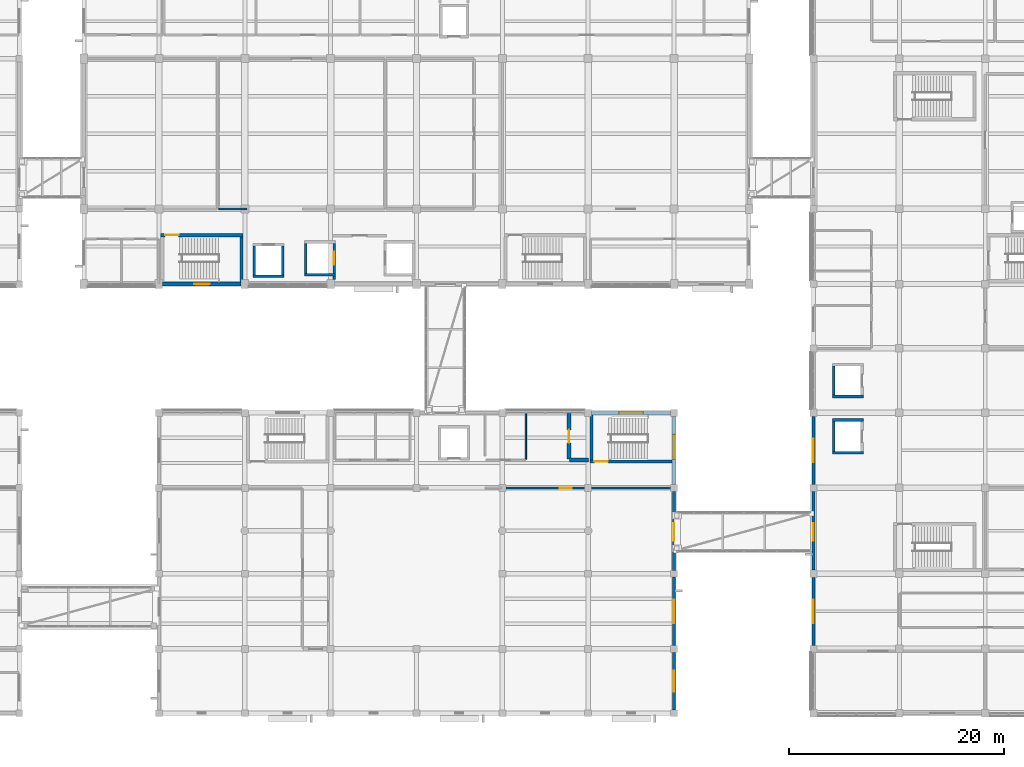
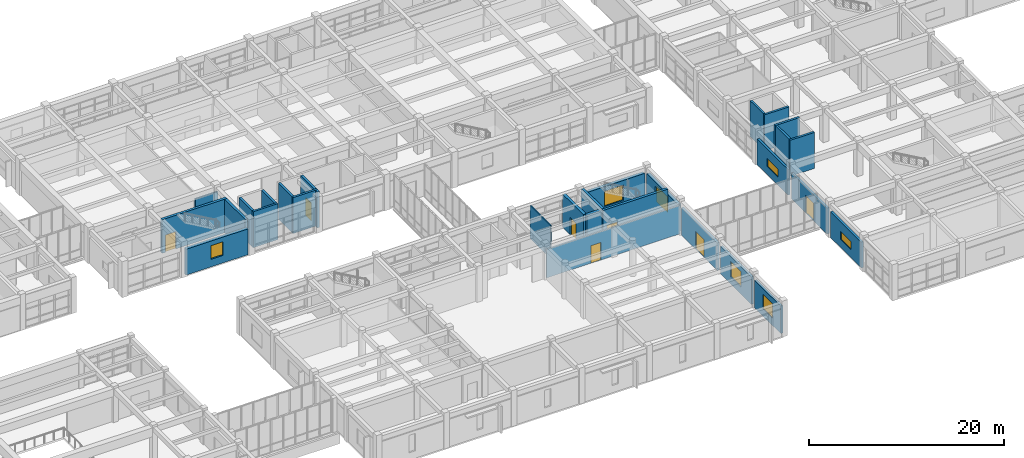
# One storey, part 51 of 72: 29 walls, 7 doors, 7 windows, 14 openings.
"""IFC4 building model written with IfcOpenShell, lengths in metres."""

import ifcopenshell
import ifcopenshell.guid

model = None  # the IFC model being written
_history = None  # IfcOwnerHistory: only IFC2X3 demands one
_inside = {}  # id of a spatial element -> (the spatial element, [elements in it])
_under = {}  # id of a project, library or spatial element -> (it, [spatial elements below it])
_declared = {}  # id of a project -> (the project, [libraries it declares])
_typed = {}  # id of a type object -> (the type object, [elements of that type])
_made_of = {}  # id of a material, layer set ... -> (it, [elements and type objects made of it])


def new_model(schema):
    """Start an empty IFC model of exactly this schema.

    Asked for "IFC4X3", IfcOpenShell would pick the latest addendum, in which some entities
    have other attributes; the version numbers below select the first issue.
    IFC2X3 requires an IfcOwnerHistory on every rooted entity: one is made here for all.
    """
    global model, _history
    if schema == "IFC4X3":
        model = ifcopenshell.file(schema_version=(4, 3, 0, 0))
    else:
        model = ifcopenshell.file(schema=schema)
    _inside.clear()
    _under.clear()
    _declared.clear()
    _typed.clear()
    _made_of.clear()
    _history = None
    if model.schema == "IFC2X3":
        org = make("IfcOrganization", Name="unknown")
        user = make(
            "IfcPersonAndOrganization",
            ThePerson=make("IfcPerson", FamilyName="unknown"),
            TheOrganization=org,
        )
        app = make(
            "IfcApplication",
            ApplicationDeveloper=org,
            Version="unknown",
            ApplicationFullName="unknown",
            ApplicationIdentifier="unknown",
        )
        _history = make(
            "IfcOwnerHistory",
            OwningUser=user,
            OwningApplication=app,
            ChangeAction="ADDED",
            CreationDate=0,
        )
    return model


def make(cls, **values):
    """One entity of the class cls with the attributes given. An attribute that is None is left unset."""
    return model.create_entity(
        cls, **{name: value for name, value in values.items() if value is not None}
    )


def rooted(cls, **values):
    """An entity with a GlobalId (a new one), such as an element, a storey or a relation."""
    return make(cls, GlobalId=ifcopenshell.guid.new(), OwnerHistory=_history, **values)


def si_unit(unit_type, name, prefix=None):
    """IfcSIUnit, for example si_unit("LENGTHUNIT", "METRE", prefix="MILLI")."""
    return make("IfcSIUnit", UnitType=unit_type, Prefix=prefix, Name=name)


def assignment(units):
    """IfcUnitAssignment: the units of a project."""
    return None if units is None else make("IfcUnitAssignment", Units=units)


def point(xyz):
    """IfcCartesianPoint."""
    return None if xyz is None else make("IfcCartesianPoint", Coordinates=xyz)


def direction(xyz):
    """IfcDirection."""
    return None if xyz is None else make("IfcDirection", DirectionRatios=xyz)


def frame(location, z_axis=None, x_axis=None):
    """IfcAxis2Placement3D, a coordinate frame: its origin and axes. An axis left out is left unset."""
    return make(
        "IfcAxis2Placement3D",
        Location=point(location),
        Axis=direction(z_axis),
        RefDirection=direction(x_axis),
    )


def frame_2d(location, x_axis=None):
    """IfcAxis2Placement2D, a coordinate frame in the plane: its origin and x axis."""
    return make(
        "IfcAxis2Placement2D", Location=point(location), RefDirection=direction(x_axis)
    )


def origin():
    """The frame at (0, 0, 0) with its axes left unset."""
    return frame((0.0, 0.0, 0.0))


def place(relative_to, where):
    """IfcLocalPlacement: puts the frame where relative to a parent placement (None: the world)."""
    return make(
        "IfcLocalPlacement", PlacementRelTo=relative_to, RelativePlacement=where
    )


def context(
    kind, dimensions, precision=None, world=None, true_north=None, identifier=None
):
    """IfcGeometricRepresentationContext, for example the 3D "Model" context."""
    return make(
        "IfcGeometricRepresentationContext",
        ContextIdentifier=identifier,
        ContextType=kind,
        CoordinateSpaceDimension=dimensions,
        Precision=precision,
        WorldCoordinateSystem=world,
        TrueNorth=true_north,
    )


def subcontext(parent, identifier, kind, view, scale=None):
    """IfcGeometricRepresentationSubContext, for example "Body" below "Model"."""
    return make(
        "IfcGeometricRepresentationSubContext",
        ContextIdentifier=identifier,
        ContextType=kind,
        ParentContext=parent,
        TargetScale=scale,
        TargetView=view,
    )


def project(units=None, contexts=None):
    """IfcProject with its units and contexts."""
    return rooted(
        "IfcProject",
        Name="project",
        RepresentationContexts=contexts,
        UnitsInContext=assignment(units),
    )


def spatial(cls, under=None, at=None, **own):
    """A site, building, storey or space (cls), placed at a placement, below another one or the project."""
    s = rooted(cls, ObjectPlacement=at, **own)
    if under is not None:
        _under.setdefault(under.id(), (under, []))[1].append(s)
    return s


def profile(cls, at=None, kind="AREA", **sizes):
    """A parametric profile (cls). Its sizes go by their IFC names, for example OverallWidth=200.0."""
    return make(cls, ProfileType=kind, Position=at, **sizes)


def rectangle(**sizes):
    """IfcRectangleProfileDef."""
    return profile("IfcRectangleProfileDef", **sizes)


def extrude(swept, where, along, depth):
    """IfcExtrudedAreaSolid: the profile swept, set in the frame where, extruded along a direction by depth."""
    return make(
        "IfcExtrudedAreaSolid",
        SweptArea=swept,
        Position=where,
        ExtrudedDirection=direction(along),
        Depth=depth,
    )


def shape(context_of_items, identifier, shape_type, items):
    """IfcShapeRepresentation: the items that make up one representation, for example the "Body"."""
    return make(
        "IfcShapeRepresentation",
        ContextOfItems=context_of_items,
        RepresentationIdentifier=identifier,
        RepresentationType=shape_type,
        Items=items,
    )


def material(Name=None, Category=None):
    """IfcMaterial."""
    return make("IfcMaterial", Name=Name, Category=Category)


def layer(
    of_material, thickness, ventilated=None, Name=None, Category=None, Priority=None
):
    """IfcMaterialLayer: one layer of a wall or slab, of a material (None: an air gap)."""
    return make(
        "IfcMaterialLayer",
        Material=of_material,
        LayerThickness=thickness,
        IsVentilated=ventilated,
        Name=Name,
        Category=Category,
        Priority=Priority,
    )


def layer_set(layers, Name=None):
    """IfcMaterialLayerSet."""
    return make("IfcMaterialLayerSet", MaterialLayers=layers, LayerSetName=Name)


def made_of(thing, what):
    """Note that an element or type object is made of a material, layer set ...; save() writes the relation."""
    if what is not None:
        _made_of.setdefault(what.id(), (what, []))[1].append(thing)
    return thing


def type_object(cls, material=None, **own):
    """A type object (cls), such as IfcWallType, which elements share."""
    return made_of(rooted(cls, **own), material)


def element(
    cls,
    number,
    at=None,
    inside=None,
    cuts=None,
    type_object=None,
    material=None,
    context=None,
    identifier="Body",
    shape_type=None,
    held_by="IfcProductDefinitionShape",
    body=None,
    shapes=None,
    **own,
):
    """One element of the class cls, such as IfcWall. Its Tag is "e" and its number.

    at: its placement. inside: the storey or other place that contains it. cuts: it is an
    opening in that element (IfcRelVoidsElement). A single representation is given by context,
    identifier, shape_type and body (its items); several are given by shapes. held_by: the class
    of the entity that holds the representations. save() writes the other relations.
    """
    e = rooted(cls, Tag="e%d" % number, ObjectPlacement=at, **own)
    if body is not None:
        shapes = [shape(context, identifier, shape_type, body)]
    if shapes is not None:
        e.Representation = make(held_by, Representations=shapes)
    if inside is not None:
        _inside.setdefault(inside.id(), (inside, []))[1].append(e)
    if cuts is not None:
        rooted(
            "IfcRelVoidsElement", RelatingBuildingElement=cuts, RelatedOpeningElement=e
        )
    if type_object is not None:
        _typed.setdefault(type_object.id(), (type_object, []))[1].append(e)
    return made_of(e, material)


def fill(opening, filler):
    """IfcRelFillsElement: the door or window that sits in an opening."""
    return rooted(
        "IfcRelFillsElement",
        RelatingOpeningElement=opening,
        RelatedBuildingElement=filler,
    )


def aggregate(whole, parts):
    """IfcRelAggregates: a whole, such as a stair, and the parts it consists of."""
    return rooted("IfcRelAggregates", RelatingObject=whole, RelatedObjects=parts)


def save(model, path):
    """Write the relations noted so far, then the file.

    IfcRelAggregates (storeys below a building ...), IfcRelContainedInSpatialStructure (elements
    in a storey), IfcRelDefinesByType, IfcRelAssociatesMaterial and IfcRelDeclares: one each for
    every whole, place, type object, material and project.
    """
    for whole, parts in _under.values():
        aggregate(whole, parts)
    for where, things in _inside.values():
        rooted(
            "IfcRelContainedInSpatialStructure",
            RelatedElements=things,
            RelatingStructure=where,
        )
    for kind, things in _typed.values():
        rooted("IfcRelDefinesByType", RelatedObjects=things, RelatingType=kind)
    for what, things in _made_of.values():
        rooted("IfcRelAssociatesMaterial", RelatedObjects=things, RelatingMaterial=what)
    for by, libraries in _declared.values():
        rooted("IfcRelDeclares", RelatingContext=by, RelatedDefinitions=libraries)
    model.write(path)


model = new_model("IFC4")

# Units and contexts
model_context = context("Model", 3, precision=1e-05, world=origin(), true_north=direction((0.0, 1.0)))
body_context = subcontext(model_context, "Body", "Model", "MODEL_VIEW")
ifc_project = project(units=[si_unit("LENGTHUNIT", "METRE"), si_unit("AREAUNIT", "SQUARE_METRE"), si_unit("VOLUMEUNIT", "CUBIC_METRE"), si_unit("PLANEANGLEUNIT", "RADIAN"), si_unit("MASSUNIT", "GRAM", prefix="KILO")], contexts=[model_context])

# Site, building, storey
site_placement = place(None, origin())
site = spatial("IfcSite", under=ifc_project, at=site_placement, CompositionType="ELEMENT")
building_placement = place(site_placement, origin())
building = spatial("IfcBuilding", under=site, at=building_placement, Name="Naurynzar Civic Courthouse", CompositionType="ELEMENT")
storey_placement = place(building_placement, frame((0.0, 0.0, 9.89990234375)))
storey = spatial("IfcBuildingStorey", under=building, at=storey_placement, Name="L03", CompositionType="ELEMENT", Elevation=9.89990234375)

# Wall
ifc_material_1 = material(Name="Acoustic Double-Stud Gypsum Partition")
ifc_layer_1 = layer(ifc_material_1, 0.1650390625)
ifc_layer_set_1 = layer_set([ifc_layer_1], Name="WL-ACOUSTIC-165")
wall_type_1 = type_object("IfcWallType", Name="WL-ACOUSTIC-165", PredefinedType="PARTITIONING", material=ifc_layer_set_1)
wall_1_placement = place(storey_placement, frame((74.56005859375, 51.0, 0.0), z_axis=(0.0, 0.0, 1.0), x_axis=(1.0, 0.0, 0.0)))
element("IfcWall", 1, at=wall_1_placement, inside=storey, type_object=wall_type_1, Name="V2 interior partition L03.354", PredefinedType="PARTITIONING", context=body_context, shape_type="SweptSolid", body=[
    extrude(rectangle(XDim=2.639892578125, YDim=0.1650390625, at=frame_2d((1.31982421875, 0.0))), origin(), (0.0, 0.0, 1.0), 3.400146484375),
])

# Wall, opening, door
ifc_material_2 = material(Name="Concrete C40/50", Category="concrete")
ifc_layer_2 = layer(ifc_material_2, 0.300048828125)
ifc_layer_set_2 = layer_set([ifc_layer_2], Name="WL-CORE-300")
wall_type_2 = type_object("IfcWallType", Name="WL-CORE-300", PredefinedType="SHEAR", material=ifc_layer_set_2)
wall_2_placement = place(storey_placement, frame((76.85009765625, 48.550048828125, 0.0), z_axis=(0.0, 0.0, 1.0), x_axis=(-1.0, 0.0, 0.0)))
wall_2 = element("IfcWall", 2, at=wall_2_placement, inside=storey, type_object=wall_type_2, Name="Stair ST-V2A enclosure wall north L03", PredefinedType="SHEAR", context=body_context, shape_type="SweptSolid", body=[
    extrude(rectangle(XDim=7.7001953125, YDim=0.300048828125, at=frame_2d((3.85009765625, 0.0))), origin(), (0.0, 0.0, 1.0), 4.2001953125),
])
opening_1_placement = place(wall_2_placement, frame((6.02490234375, 0.0, 0.0)))
opening_1 = element("IfcOpeningElement", 3, at=opening_1_placement, cuts=wall_2, Name="Opening SD-026", PredefinedType="OPENING", context=body_context, shape_type="SweptSolid", body=[
    extrude(rectangle(XDim=1.25, YDim=2.14990234375, at=frame_2d((0.625, 1.074951171875))), frame((0.0, 0.159912109375, 0.0), z_axis=(0.0, -1.0, 0.0), x_axis=(1.0, 0.0, 0.0)), (0.0, 0.0, 1.0), 0.320068359375),
])
ifc_material_3 = material(Name="Powder-Coated Galvanised Steel", Category="steel")
door_type_1 = type_object("IfcDoorType", Name="DR-STAIR-1250x2150", OperationType="NOTDEFINED", PredefinedType="DOOR", material=ifc_material_3)
door_1_placement = place(opening_1_placement, origin())
door_1 = element("IfcDoor", 4, at=door_1_placement, inside=storey, type_object=door_type_1, Name="Stair ST-V2A fire door L03", OperationType="SINGLE_SWING_RIGHT", OverallHeight=2.14990234375, OverallWidth=1.25, PredefinedType="DOOR", context=body_context, shape_type="SweptSolid", body=[
    extrude(rectangle(XDim=1.25, YDim=2.14990234375, at=frame_2d((0.625, 1.074951171875))), frame((0.0, 0.02490234375, 0.0), z_axis=(0.0, -1.0, 0.0), x_axis=(1.0, 0.0, 0.0)), (0.0, 0.0, 1.0), 0.050048828125),
])
fill(opening_1, door_1)

# Wall
wall_3_placement = place(storey_placement, frame((76.699951171875, 44.195068359375, 0.0), z_axis=(0.0, 0.0, 1.0), x_axis=(0.0, 1.0, 0.0)))
element("IfcWall", 5, at=wall_3_placement, inside=storey, type_object=wall_type_2, Name="Stair ST-V2A enclosure wall east L03", PredefinedType="SHEAR", context=body_context, shape_type="SweptSolid", body=[
    extrude(rectangle(XDim=4.199951171875, YDim=0.300048828125, at=frame_2d((2.10009765625, 0.0))), origin(), (0.0, 0.0, 1.0), 4.2001953125),
])

# Wall, opening, door
wall_4_placement = place(storey_placement, frame((109.14990234375, 27.449951171875, 0.0), z_axis=(0.0, 0.0, 1.0), x_axis=(1.0, 0.0, 0.0)))
wall_4 = element("IfcWall", 6, at=wall_4_placement, inside=storey, type_object=wall_type_2, Name="Stair ST-V3B enclosure wall south L03", PredefinedType="SHEAR", context=body_context, shape_type="SweptSolid", body=[
    extrude(rectangle(XDim=7.655029296875, YDim=0.300048828125, at=frame_2d((3.82763671875, 0.0))), origin(), (0.0, 0.0, 1.0), 4.16015625),
])
opening_2_placement = place(wall_4_placement, frame((0.425048828125, 0.0, 0.0)))
opening_2 = element("IfcOpeningElement", 7, at=opening_2_placement, cuts=wall_4, Name="Opening SD-055", PredefinedType="OPENING", context=body_context, shape_type="SweptSolid", body=[
    extrude(rectangle(XDim=1.25, YDim=2.14990234375, at=frame_2d((0.625, 1.074951171875))), frame((0.0, 0.159912109375, 0.0), z_axis=(0.0, -1.0, 0.0), x_axis=(1.0, 0.0, 0.0)), (0.0, 0.0, 1.0), 0.320068359375),
])
door_2_placement = place(opening_2_placement, origin())
door_2 = element("IfcDoor", 8, at=door_2_placement, inside=storey, type_object=door_type_1, Name="Stair ST-V3B fire door L03", OperationType="SINGLE_SWING_LEFT", OverallHeight=2.14990234375, OverallWidth=1.25, PredefinedType="DOOR", context=body_context, shape_type="SweptSolid", body=[
    extrude(rectangle(XDim=1.25, YDim=2.14990234375, at=frame_2d((0.625, 1.074951171875))), frame((0.0, 0.02490234375, 0.0), z_axis=(0.0, -1.0, 0.0), x_axis=(1.0, 0.0, 0.0)), (0.0, 0.0, 1.0), 0.050048828125),
])
fill(opening_2, door_2)

# Walls
wall_5_placement = place(storey_placement, frame((109.300048828125, 31.804931640625, 0.0), z_axis=(0.0, 0.0, 1.0), x_axis=(0.0, -1.0, 0.0)))
element("IfcWall", 9, at=wall_5_placement, inside=storey, type_object=wall_type_2, Name="Stair ST-V3B enclosure wall west L03", PredefinedType="SHEAR", context=body_context, shape_type="SweptSolid", body=[
    extrude(rectangle(XDim=4.199951171875, YDim=0.300048828125, at=frame_2d((2.10009765625, 0.0))), origin(), (0.0, 0.0, 1.0), 4.16015625),
])
ifc_material_4 = material(Name="Concrete C40/50", Category="concrete")
ifc_layer_3 = layer(ifc_material_4, 0.35009765625)
ifc_layer_set_3 = layer_set([ifc_layer_3], Name="WL-CORE-350")
wall_type_3 = type_object("IfcWallType", Name="WL-CORE-350", PredefinedType="SHEAR", material=ifc_layer_set_3)
wall_6_placement = place(storey_placement, frame((107.280029296875, 27.60009765625, 0.0), z_axis=(0.0, 0.0, 1.0), x_axis=(1.0, 0.0, 0.0)))
element("IfcWall", 10, at=wall_6_placement, inside=storey, type_object=wall_type_3, Name="V3 interior partition L03.337", PredefinedType="SHEAR", context=body_context, shape_type="SweptSolid", body=[
    extrude(rectangle(XDim=1.77001953125, YDim=0.35009765625, at=frame_2d((0.885009765625, 0.0))), origin(), (0.0, 0.0, 1.0), 4.14013671875),
])

# Wall, opening, door
wall_7_placement = place(storey_placement, frame((107.199951171875, 27.679931640625, 0.0), z_axis=(0.0, 0.0, 1.0), x_axis=(0.0, 1.0, 0.0)))
wall_7 = element("IfcWall", 11, at=wall_7_placement, inside=storey, type_object=wall_type_3, Name="V3 interior partition L03.418", PredefinedType="SHEAR", context=body_context, shape_type="SweptSolid", body=[
    extrude(rectangle(XDim=4.239990234375, YDim=0.35009765625, at=frame_2d((2.1201171875, 0.0))), origin(), (0.0, 0.0, 1.0), 4.14013671875),
])
opening_3_placement = place(wall_7_placement, frame((1.52001953125, 0.0, 0.0)))
opening_3 = element("IfcOpeningElement", 12, at=opening_3_placement, cuts=wall_7, Name="Opening D-241", PredefinedType="OPENING", context=body_context, shape_type="SweptSolid", body=[
    extrude(rectangle(XDim=1.199951171875, YDim=2.14990234375, at=frame_2d((0.60009765625, 1.074951171875))), frame((0.0, 0.18505859375, 0.0), z_axis=(0.0, -1.0, 0.0), x_axis=(1.0, 0.0, 0.0)), (0.0, 0.0, 1.0), 0.3701171875),
])
ifc_material_5 = material(Name="Powder-Coated Galvanised Steel", Category="steel")
door_type_2 = type_object("IfcDoorType", Name="DR-ARCH-1200x2150", OperationType="NOTDEFINED", PredefinedType="DOOR", material=ifc_material_5)
door_3_placement = place(opening_3_placement, origin())
door_3 = element("IfcDoor", 13, at=door_3_placement, inside=storey, type_object=door_type_2, Name="Interior door D-241 (Law Library Book Stacks North L03)", OperationType="SINGLE_SWING_LEFT", OverallHeight=2.14990234375, OverallWidth=1.199951171875, PredefinedType="DOOR", context=body_context, shape_type="SweptSolid", body=[
    extrude(rectangle(XDim=1.199951171875, YDim=2.14990234375, at=frame_2d((0.60009765625, 1.074951171875))), frame((0.0, 0.02490234375, 0.0), z_axis=(0.0, -1.0, 0.0), x_axis=(1.0, 0.0, 0.0)), (0.0, 0.0, 1.0), 0.050048828125),
])
fill(opening_3, door_3)

ifc_material_6 = material(Name="Precast concrete C40/50", Category="concrete")
ifc_layer_4 = layer(ifc_material_6, 0.260009765625)
ifc_layer_set_4 = layer_set([ifc_layer_4], Name="WL-EXT-260")
wall_type_4 = type_object("IfcWallType", Name="WL-EXT-260", PredefinedType="SOLIDWALL", material=ifc_layer_set_4)
wall_8_placement = place(storey_placement, frame((117.0, 24.675048828125, 0.0), z_axis=(0.0, 0.0, 1.0), x_axis=(0.0, -1.0, 0.0)))
wall_8 = element("IfcWall", 14, at=wall_8_placement, inside=storey, type_object=wall_type_4, Name="V3 exterior wall east L03.2.1", PredefinedType="SOLIDWALL", context=body_context, shape_type="SweptSolid", body=[
    extrude(rectangle(XDim=7.35009765625, YDim=0.260009765625, at=frame_2d((3.675048828125, 0.0))), origin(), (0.0, 0.0, 1.0), 3.440185546875),
])
opening_4_placement = place(wall_8_placement, frame((2.949951171875, 0.0, 0.0)))
opening_4 = element("IfcOpeningElement", 15, at=opening_4_placement, cuts=wall_8, Name="Opening BD-24", PredefinedType="OPENING", context=body_context, shape_type="SweptSolid", body=[
    extrude(rectangle(XDim=1.64990234375, YDim=2.199951171875, at=frame_2d((0.824951171875, 1.10009765625))), frame((0.0, 0.139892578125, 0.0), z_axis=(0.0, -1.0, 0.0), x_axis=(1.0, 0.0, 0.0)), (0.0, 0.0, 1.0), 0.280029296875),
])
ifc_material_7 = material(Name="Aluminium 6063-T6", Category="aluminium")
door_type_3 = type_object("IfcDoorType", Name="DR-BRG-1650x2200", OperationType="DOUBLE_DOOR_SINGLE_SWING", PredefinedType="DOOR", material=ifc_material_7)
door_4_placement = place(opening_4_placement, origin())
door_4 = element("IfcDoor", 16, at=door_4_placement, inside=storey, type_object=door_type_3, Name="Seismic bridge fire door BD-24", OperationType="DOUBLE_DOOR_SINGLE_SWING", OverallHeight=2.199951171875, OverallWidth=1.64990234375, PredefinedType="DOOR", context=body_context, shape_type="SweptSolid", body=[
    extrude(rectangle(XDim=1.64990234375, YDim=2.199951171875, at=frame_2d((0.824951171875, 1.10009765625))), frame((0.0, 0.02490234375, 0.0), z_axis=(0.0, -1.0, 0.0), x_axis=(1.0, 0.0, 0.0)), (0.0, 0.0, 1.0), 0.050048828125),
])
fill(opening_4, door_4)

# Wall, opening, window
wall_9_placement = place(storey_placement, frame((117.0, 16.675048828125, 0.0), z_axis=(0.0, 0.0, 1.0), x_axis=(0.0, -1.0, 0.0)))
wall_9 = element("IfcWall", 17, at=wall_9_placement, inside=storey, type_object=wall_type_4, Name="V3 exterior wall east L03.3.1", PredefinedType="SOLIDWALL", context=body_context, shape_type="SweptSolid", body=[
    extrude(rectangle(XDim=6.35009765625, YDim=0.260009765625, at=frame_2d((3.175048828125, 0.0))), origin(), (0.0, 0.0, 1.0), 3.440185546875),
])
opening_5_placement = place(wall_9_placement, frame((2.074951171875, 0.0, 0.89990234375)))
opening_5 = element("IfcOpeningElement", 18, at=opening_5_placement, cuts=wall_9, Name="Opening WN-11", PredefinedType="OPENING", context=body_context, shape_type="SweptSolid", body=[
    extrude(rectangle(XDim=2.199951171875, YDim=1.89990234375, at=frame_2d((1.10009765625, 0.949951171875))), frame((0.0, 0.139892578125, 0.0), z_axis=(0.0, -1.0, 0.0), x_axis=(1.0, 0.0, 0.0)), (0.0, 0.0, 1.0), 0.280029296875),
])
ifc_material_8 = material(Name="Tempered Laminated Low-E Glass", Category="glass")
window_type_1 = type_object("IfcWindowType", Name="WIN-LIB-READ-2200x1900", PartitioningType="DOUBLE_PANEL_VERTICAL", PredefinedType="WINDOW", material=ifc_material_8)
window_1_placement = place(opening_5_placement, origin())
window_1 = element("IfcWindow", 19, at=window_1_placement, inside=storey, type_object=window_type_1, Name="V3 window 170 L03", OverallHeight=1.89990234375, OverallWidth=2.199951171875, PartitioningType="SINGLE_PANEL", PredefinedType="WINDOW", context=body_context, shape_type="SweptSolid", body=[
    extrude(rectangle(XDim=2.199951171875, YDim=1.89990234375, at=frame_2d((1.10009765625, 0.949951171875))), frame((0.0, 0.030029296875, 0.0), z_axis=(0.0, -1.0, 0.0), x_axis=(1.0, 0.0, 0.0)), (0.0, 0.0, 1.0), 0.06005859375),
])
fill(opening_5, window_1)

wall_10_placement = place(storey_placement, frame((117.0, 9.675048828125, 0.0), z_axis=(0.0, 0.0, 1.0), x_axis=(0.0, -1.0, 0.0)))
wall_10 = element("IfcWall", 20, at=wall_10_placement, inside=storey, type_object=wall_type_4, Name="V3 exterior wall east L03.4.1", PredefinedType="SOLIDWALL", context=body_context, shape_type="SweptSolid", body=[
    extrude(rectangle(XDim=5.35009765625, YDim=0.260009765625, at=frame_2d((2.675048828125, 0.0))), origin(), (0.0, 0.0, 1.0), 3.440185546875),
])
opening_6_placement = place(wall_10_placement, frame((1.699951171875, 0.0, 0.89990234375)))
opening_6 = element("IfcOpeningElement", 21, at=opening_6_placement, cuts=wall_10, Name="Opening WN-12", PredefinedType="OPENING", context=body_context, shape_type="SweptSolid", body=[
    extrude(rectangle(XDim=1.949951171875, YDim=1.85009765625, at=frame_2d((0.97509765625, 0.925048828125))), frame((0.0, 0.139892578125, 0.0), z_axis=(0.0, -1.0, 0.0), x_axis=(1.0, 0.0, 0.0)), (0.0, 0.0, 1.0), 0.280029296875),
])
ifc_material_9 = material(Name="Tempered Laminated Low-E Glass", Category="glass")
window_type_2 = type_object("IfcWindowType", Name="WIN-LIB-READ-1950x1850", PartitioningType="DOUBLE_PANEL_VERTICAL", PredefinedType="WINDOW", material=ifc_material_9)
window_2_placement = place(opening_6_placement, origin())
window_2 = element("IfcWindow", 22, at=window_2_placement, inside=storey, type_object=window_type_2, Name="V3 window 171 L03", OverallHeight=1.85009765625, OverallWidth=1.949951171875, PartitioningType="SINGLE_PANEL", PredefinedType="WINDOW", context=body_context, shape_type="SweptSolid", body=[
    extrude(rectangle(XDim=1.949951171875, YDim=1.85009765625, at=frame_2d((0.97509765625, 0.925048828125))), frame((0.0, 0.030029296875, 0.0), z_axis=(0.0, -1.0, 0.0), x_axis=(1.0, 0.0, 0.0)), (0.0, 0.0, 1.0), 0.06005859375),
])
fill(opening_6, window_2)

wall_11_placement = place(storey_placement, frame((130.0, 10.33740234375, 0.0), z_axis=(0.0, 0.0, 1.0), x_axis=(0.0, 1.0, 0.0)))
wall_11 = element("IfcWall", 23, at=wall_11_placement, inside=storey, type_object=wall_type_4, Name="V5 exterior wall west L03.2.1", PredefinedType="SOLIDWALL", context=body_context, shape_type="SweptSolid", body=[
    extrude(rectangle(XDim=6.3251953125, YDim=0.260009765625, at=frame_2d((3.16259765625, 0.0))), origin(), (0.0, 0.0, 1.0), 3.22998046875),
])
opening_7_placement = place(wall_11_placement, frame((2.0625, 0.0, 1.0)))
opening_7 = element("IfcOpeningElement", 24, at=opening_7_placement, cuts=wall_11, Name="Opening WN-18", PredefinedType="OPENING", context=body_context, shape_type="SweptSolid", body=[
    extrude(rectangle(XDim=2.199951171875, YDim=1.0, at=frame_2d((1.10009765625, 0.5))), frame((0.0, 0.139892578125, 0.0), z_axis=(0.0, -1.0, 0.0), x_axis=(1.0, 0.0, 0.0)), (0.0, 0.0, 1.0), 0.280029296875),
])
ifc_material_10 = material(Name="Tempered Laminated Low-E Glass", Category="glass")
window_type_3 = type_object("IfcWindowType", Name="WIN-CLER-2200x1000", PartitioningType="DOUBLE_PANEL_VERTICAL", PredefinedType="WINDOW", material=ifc_material_10)
window_3_placement = place(opening_7_placement, origin())
window_3 = element("IfcWindow", 25, at=window_3_placement, inside=storey, type_object=window_type_3, Name="V5 window 282 L03", OverallHeight=1.0, OverallWidth=2.199951171875, PartitioningType="SINGLE_PANEL", PredefinedType="WINDOW", context=body_context, shape_type="SweptSolid", body=[
    extrude(rectangle(XDim=2.199951171875, YDim=1.0, at=frame_2d((1.10009765625, 0.5))), frame((0.0, 0.030029296875, 0.0), z_axis=(0.0, -1.0, 0.0), x_axis=(1.0, 0.0, 0.0)), (0.0, 0.0, 1.0), 0.06005859375),
])
fill(opening_7, window_3)

# Wall, opening, door
wall_12_placement = place(storey_placement, frame((130.0, 17.33740234375, 0.0), z_axis=(0.0, 0.0, 1.0), x_axis=(0.0, 1.0, 0.0)))
wall_12 = element("IfcWall", 26, at=wall_12_placement, inside=storey, type_object=wall_type_4, Name="V5 exterior wall west L03.3.1", PredefinedType="SOLIDWALL", context=body_context, shape_type="SweptSolid", body=[
    extrude(rectangle(XDim=7.3251953125, YDim=0.260009765625, at=frame_2d((3.66259765625, 0.0))), origin(), (0.0, 0.0, 1.0), 3.22998046875),
])
opening_8_placement = place(wall_12_placement, frame((2.737548828125, 0.0, 0.0)))
opening_8 = element("IfcOpeningElement", 27, at=opening_8_placement, cuts=wall_12, Name="Opening BD-36", PredefinedType="OPENING", context=body_context, shape_type="SweptSolid", body=[
    extrude(rectangle(XDim=1.64990234375, YDim=2.199951171875, at=frame_2d((0.824951171875, 1.10009765625))), frame((0.0, 0.139892578125, 0.0), z_axis=(0.0, -1.0, 0.0), x_axis=(1.0, 0.0, 0.0)), (0.0, 0.0, 1.0), 0.280029296875),
])
door_5_placement = place(opening_8_placement, origin())
door_5 = element("IfcDoor", 28, at=door_5_placement, inside=storey, type_object=door_type_3, Name="Seismic bridge fire door BD-36", OperationType="DOUBLE_DOOR_SINGLE_SWING", OverallHeight=2.199951171875, OverallWidth=1.64990234375, PredefinedType="DOOR", context=body_context, shape_type="SweptSolid", body=[
    extrude(rectangle(XDim=1.64990234375, YDim=2.199951171875, at=frame_2d((0.824951171875, 1.10009765625))), frame((0.0, 0.02490234375, 0.0), z_axis=(0.0, -1.0, 0.0), x_axis=(1.0, 0.0, 0.0)), (0.0, 0.0, 1.0), 0.050048828125),
])
fill(opening_8, door_5)

# Wall, opening, window
wall_13_placement = place(storey_placement, frame((130.0, 25.33740234375, 0.0), z_axis=(0.0, 0.0, 1.0), x_axis=(0.0, 1.0, 0.0)))
wall_13 = element("IfcWall", 29, at=wall_13_placement, inside=storey, type_object=wall_type_4, Name="V5 exterior wall west L03.4.1", PredefinedType="SOLIDWALL", context=body_context, shape_type="SweptSolid", body=[
    extrude(rectangle(XDim=6.3251953125, YDim=0.260009765625, at=frame_2d((3.16259765625, 0.0))), origin(), (0.0, 0.0, 1.0), 3.22998046875),
])
opening_9_placement = place(wall_13_placement, frame((2.0625, 0.0, 1.0)))
opening_9 = element("IfcOpeningElement", 30, at=opening_9_placement, cuts=wall_13, Name="Opening WN-18", PredefinedType="OPENING", context=body_context, shape_type="SweptSolid", body=[
    extrude(rectangle(XDim=2.199951171875, YDim=1.0, at=frame_2d((1.10009765625, 0.5))), frame((0.0, 0.139892578125, 0.0), z_axis=(0.0, -1.0, 0.0), x_axis=(1.0, 0.0, 0.0)), (0.0, 0.0, 1.0), 0.280029296875),
])
window_4_placement = place(opening_9_placement, origin())
window_4 = element("IfcWindow", 31, at=window_4_placement, inside=storey, type_object=window_type_3, Name="V5 window 283 L03", OverallHeight=1.0, OverallWidth=2.199951171875, PartitioningType="SINGLE_PANEL", PredefinedType="WINDOW", context=body_context, shape_type="SweptSolid", body=[
    extrude(rectangle(XDim=2.199951171875, YDim=1.0, at=frame_2d((1.10009765625, 0.5))), frame((0.0, 0.030029296875, 0.0), z_axis=(0.0, -1.0, 0.0), x_axis=(1.0, 0.0, 0.0)), (0.0, 0.0, 1.0), 0.06005859375),
])
fill(opening_9, window_4)

# Wall, opening, door
ifc_material_11 = material(Name="Acoustic Double-Stud Gypsum Partition")
ifc_layer_5 = layer(ifc_material_11, 0.179931640625)
ifc_layer_set_5 = layer_set([ifc_layer_5], Name="WL-PART-JURY-180")
wall_type_5 = type_object("IfcWallType", Name="WL-PART-JURY-180", PredefinedType="PARTITIONING", material=ifc_layer_set_5)
wall_14_placement = place(storey_placement, frame((101.080078125, 25.0, 0.0), z_axis=(0.0, 0.0, 1.0), x_axis=(1.0, 0.0, 0.0)))
wall_14 = element("IfcWall", 32, at=wall_14_placement, inside=storey, type_object=wall_type_5, Name="V3 interior partition L03.330", PredefinedType="PARTITIONING", context=body_context, shape_type="SweptSolid", body=[
    extrude(rectangle(XDim=15.83984375, YDim=0.179931640625, at=frame_2d((7.919921875, 0.0))), origin(), (0.0, 0.0, 1.0), 3.56005859375),
])
opening_10_placement = place(wall_14_placement, frame((5.24658203125, 0.0, 0.0)))
opening_10 = element("IfcOpeningElement", 33, at=opening_10_placement, cuts=wall_14, Name="Opening D-244", PredefinedType="OPENING", context=body_context, shape_type="SweptSolid", body=[
    extrude(rectangle(XDim=1.14990234375, YDim=2.199951171875, at=frame_2d((0.574951171875, 1.10009765625))), frame((0.0, 0.099853515625, 0.0), z_axis=(0.0, -1.0, 0.0), x_axis=(1.0, 0.0, 0.0)), (0.0, 0.0, 1.0), 0.199951171875),
])
ifc_material_12 = material(Name="Acoustic Oak Timber Grade A", Category="wood")
door_type_4 = type_object("IfcDoorType", Name="DR-JURY-1150x2200", OperationType="NOTDEFINED", PredefinedType="DOOR", material=ifc_material_12)
door_6_placement = place(opening_10_placement, origin())
door_6 = element("IfcDoor", 34, at=door_6_placement, inside=storey, type_object=door_type_4, Name="Interior door D-244 (Legal Scholars Seminar Room L06)", OperationType="SINGLE_SWING_RIGHT", OverallHeight=2.199951171875, OverallWidth=1.14990234375, PredefinedType="DOOR", context=body_context, shape_type="SweptSolid", body=[
    extrude(rectangle(XDim=1.14990234375, YDim=2.199951171875, at=frame_2d((0.574951171875, 1.10009765625))), frame((0.0, 0.02490234375, 0.0), z_axis=(0.0, -1.0, 0.0), x_axis=(1.0, 0.0, 0.0)), (0.0, 0.0, 1.0), 0.050048828125),
])
fill(opening_10, door_6)

# Wall
ifc_material_13 = material(Name="Moisture-Resistant Plumbing Partition")
ifc_layer_6 = layer(ifc_material_13, 0.139892578125)
ifc_layer_set_6 = layer_set([ifc_layer_6], Name="WL-PART-WC-140")
wall_type_6 = type_object("IfcWallType", Name="WL-PART-WC-140", PredefinedType="PLUMBINGWALL", material=ifc_layer_set_6)
wall_15_placement = place(storey_placement, frame((103.199951171875, 27.679931640625, 0.0), z_axis=(0.0, 0.0, 1.0), x_axis=(0.0, 1.0, 0.0)))
element("IfcWall", 35, at=wall_15_placement, inside=storey, type_object=wall_type_6, Name="V3 interior partition L03.417", PredefinedType="PLUMBINGWALL", context=body_context, shape_type="SweptSolid", body=[
    extrude(rectangle(XDim=4.239990234375, YDim=0.139892578125, at=frame_2d((2.1201171875, 0.0))), origin(), (0.0, 0.0, 1.0), 4.14013671875),
])

# Wall, opening, window
ifc_material_14 = material(Name="Concrete C40/50", Category="concrete")
ifc_layer_7 = layer(ifc_material_14, 0.3798828125)
ifc_layer_set_7 = layer_set([ifc_layer_7], Name="WL-RET-380")
wall_type_7 = type_object("IfcWallType", Name="WL-RET-380", PredefinedType="STANDARD", material=ifc_layer_set_7)
wall_16_placement = place(storey_placement, frame((76.64990234375, 44.0, 0.0), z_axis=(0.0, 0.0, 1.0), x_axis=(-1.0, 0.0, 0.0)))
wall_16 = element("IfcWall", 36, at=wall_16_placement, inside=storey, type_object=wall_type_7, Name="V2 exterior wall south L03.7.1", PredefinedType="STANDARD", context=body_context, shape_type="SweptSolid", body=[
    extrude(rectangle(XDim=7.2998046875, YDim=0.3798828125, at=frame_2d((3.64990234375, 0.0))), origin(), (0.0, 0.0, 1.0), 3.22998046875),
])
opening_11_placement = place(wall_16_placement, frame((2.925048828125, 0.0, 0.949951171875)))
opening_11 = element("IfcOpeningElement", 37, at=opening_11_placement, cuts=wall_16, Name="Opening WM-09", PredefinedType="OPENING", context=body_context, shape_type="SweptSolid", body=[
    extrude(rectangle(XDim=1.449951171875, YDim=1.699951171875, at=frame_2d((0.72509765625, 0.85009765625))), frame((0.0, 0.199951171875, 0.0), z_axis=(0.0, -1.0, 0.0), x_axis=(1.0, 0.0, 0.0)), (0.0, 0.0, 1.0), 0.39990234375),
])
ifc_material_15 = material(Name="Tempered Laminated Low-E Glass", Category="glass")
window_type_4 = type_object("IfcWindowType", Name="WIN-MOD-1450x1700", PartitioningType="SINGLE_PANEL", PredefinedType="WINDOW", material=ifc_material_15)
window_5_placement = place(opening_11_placement, origin())
window_5 = element("IfcWindow", 38, at=window_5_placement, inside=storey, type_object=window_type_4, Name="Modular glazed window 9", OverallHeight=1.699951171875, OverallWidth=1.449951171875, PartitioningType="SINGLE_PANEL", PredefinedType="WINDOW", context=body_context, shape_type="SweptSolid", body=[
    extrude(rectangle(XDim=1.449951171875, YDim=1.699951171875, at=frame_2d((0.72509765625, 0.85009765625))), frame((0.0, 0.030029296875, 0.0), z_axis=(0.0, -1.0, 0.0), x_axis=(1.0, 0.0, 0.0)), (0.0, 0.0, 1.0), 0.06005859375),
])
fill(opening_11, window_5)

wall_17_placement = place(storey_placement, frame((109.324951171875, 32.0, 0.0), z_axis=(0.0, 0.0, 1.0), x_axis=(1.0, 0.0, 0.0)))
wall_17 = element("IfcWall", 39, at=wall_17_placement, inside=storey, type_object=wall_type_7, Name="V3 exterior wall north L03.6.1", PredefinedType="STANDARD", context=body_context, shape_type="SweptSolid", body=[
    extrude(rectangle(XDim=7.35009765625, YDim=0.3798828125, at=frame_2d((3.675048828125, 0.0))), origin(), (0.0, 0.0, 1.0), 3.440185546875),
])
opening_12_placement = place(wall_17_placement, frame((2.550048828125, 0.0, 0.949951171875)))
opening_12 = element("IfcOpeningElement", 40, at=opening_12_placement, cuts=wall_17, Name="Opening WM-17", PredefinedType="OPENING", context=body_context, shape_type="SweptSolid", body=[
    extrude(rectangle(XDim=2.25, YDim=1.89990234375, at=frame_2d((1.125, 0.949951171875))), frame((0.0, 0.199951171875, 0.0), z_axis=(0.0, -1.0, 0.0), x_axis=(1.0, 0.0, 0.0)), (0.0, 0.0, 1.0), 0.39990234375),
])
ifc_material_16 = material(Name="Tempered Laminated Low-E Glass", Category="glass")
window_type_5 = type_object("IfcWindowType", Name="WIN-MOD-2250x1900", PartitioningType="DOUBLE_PANEL_VERTICAL", PredefinedType="WINDOW", material=ifc_material_16)
window_6_placement = place(opening_12_placement, origin())
window_6 = element("IfcWindow", 41, at=window_6_placement, inside=storey, type_object=window_type_5, Name="Modular glazed window 17", OverallHeight=1.89990234375, OverallWidth=2.25, PartitioningType="SINGLE_PANEL", PredefinedType="WINDOW", context=body_context, shape_type="SweptSolid", body=[
    extrude(rectangle(XDim=2.25, YDim=1.89990234375, at=frame_2d((1.125, 0.949951171875))), frame((0.0, 0.030029296875, 0.0), z_axis=(0.0, -1.0, 0.0), x_axis=(1.0, 0.0, 0.0)), (0.0, 0.0, 1.0), 0.06005859375),
])
fill(opening_12, window_6)

wall_18_placement = place(storey_placement, frame((117.0, 31.675048828125, 0.0), z_axis=(0.0, 0.0, 1.0), x_axis=(0.0, -1.0, 0.0)))
wall_18 = element("IfcWall", 42, at=wall_18_placement, inside=storey, type_object=wall_type_7, Name="V3 exterior wall east L03.1.1", PredefinedType="STANDARD", context=body_context, shape_type="SweptSolid", body=[
    extrude(rectangle(XDim=6.35009765625, YDim=0.3798828125, at=frame_2d((3.175048828125, 0.0))), origin(), (0.0, 0.0, 1.0), 3.440185546875),
])
opening_13_placement = place(wall_18_placement, frame((1.705078125, 0.0, 0.949951171875)))
opening_13 = element("IfcOpeningElement", 43, at=opening_13_placement, cuts=wall_18, Name="Opening WM-18", PredefinedType="OPENING", context=body_context, shape_type="SweptSolid", body=[
    extrude(rectangle(XDim=2.300048828125, YDim=1.949951171875, at=frame_2d((1.14990234375, 0.97509765625))), frame((0.0, 0.199951171875, 0.0), z_axis=(0.0, -1.0, 0.0), x_axis=(1.0, 0.0, 0.0)), (0.0, 0.0, 1.0), 0.39990234375),
])
ifc_material_17 = material(Name="Tempered Laminated Low-E Glass", Category="glass")
window_type_6 = type_object("IfcWindowType", Name="WIN-MOD-2300x1950", PartitioningType="DOUBLE_PANEL_VERTICAL", PredefinedType="WINDOW", material=ifc_material_17)
window_7_placement = place(opening_13_placement, origin())
window_7 = element("IfcWindow", 44, at=window_7_placement, inside=storey, type_object=window_type_6, Name="Modular glazed window 18", OverallHeight=1.949951171875, OverallWidth=2.300048828125, PartitioningType="SINGLE_PANEL", PredefinedType="WINDOW", context=body_context, shape_type="SweptSolid", body=[
    extrude(rectangle(XDim=2.300048828125, YDim=1.949951171875, at=frame_2d((1.14990234375, 0.97509765625))), frame((0.0, 0.030029296875, 0.0), z_axis=(0.0, -1.0, 0.0), x_axis=(1.0, 0.0, 0.0)), (0.0, 0.0, 1.0), 0.06005859375),
])
fill(opening_13, window_7)

# Walls
ifc_material_18 = material(Name="Concrete C40/50", Category="concrete")
ifc_layer_8 = layer(ifc_material_18, 0.25)
ifc_layer_set_8 = layer_set([ifc_layer_8], Name="WL-SHAFT-250")
wall_type_8 = type_object("IfcWallType", Name="WL-SHAFT-250", PredefinedType="SHEAR", material=ifc_layer_set_8)
wall_19_placement = place(storey_placement, frame((77.75, 44.72509765625, 0.0), z_axis=(0.0, 0.0, 1.0), x_axis=(1.0, 0.0, 0.0)))
element("IfcWall", 45, at=wall_19_placement, inside=storey, type_object=wall_type_8, Name="Lift LP-03 shaft wall south L03", PredefinedType="SHEAR", context=body_context, shape_type="SweptSolid", body=[
    extrude(rectangle(XDim=2.89990234375, YDim=0.25, at=frame_2d((1.449951171875, 0.0))), origin(), (0.0, 0.0, 1.0), 4.5),
])
for number, where, z_axis, x_axis, name in (
    (46, (77.875, 47.544921875, 0.0), (0.0, 0.0, 1.0), (0.0, -1.0, 0.0), "Lift LP-03 shaft wall west L03"),
    (47, (80.52490234375, 44.85498046875, 0.0), (0.0, 0.0, 1.0), (0.0, 1.0, 0.0), "Lift LP-03 shaft wall east L03"),
):
    element("IfcWall", number, at=place(storey_placement, frame(where, z_axis=z_axis, x_axis=x_axis)), inside=storey, type_object=wall_type_8, Name=name, PredefinedType="SHEAR", context=body_context, shape_type="SweptSolid", body=[
        extrude(rectangle(XDim=2.68994140625, YDim=0.25, at=frame_2d((1.344970703125, 0.0))), origin(), (0.0, 0.0, 1.0), 4.5),
    ])
wall_20_placement = place(storey_placement, frame((82.550048828125, 44.875, 0.0), z_axis=(0.0, 0.0, 1.0), x_axis=(1.0, 0.0, 0.0)))
element("IfcWall", 48, at=wall_20_placement, inside=storey, type_object=wall_type_8, Name="Lift FL-02 shaft wall south L03", PredefinedType="SHEAR", context=body_context, shape_type="SweptSolid", body=[
    extrude(rectangle(XDim=2.89990234375, YDim=0.25, at=frame_2d((1.449951171875, 0.0))), origin(), (0.0, 0.0, 1.0), 4.5),
])
wall_21_placement = place(storey_placement, frame((82.675048828125, 47.794921875, 0.0), z_axis=(0.0, 0.0, 1.0), x_axis=(0.0, -1.0, 0.0)))
element("IfcWall", 49, at=wall_21_placement, inside=storey, type_object=wall_type_8, Name="Lift FL-02 shaft wall west L03", PredefinedType="SHEAR", context=body_context, shape_type="SweptSolid", body=[
    extrude(rectangle(XDim=2.7900390625, YDim=0.25, at=frame_2d((1.39501953125, 0.0))), origin(), (0.0, 0.0, 1.0), 4.5),
])

# Wall, opening, door
wall_22_placement = place(storey_placement, frame((85.324951171875, 44.405029296875, 0.0), z_axis=(0.0, 0.0, 1.0), x_axis=(0.0, 1.0, 0.0)))
wall_22 = element("IfcWall", 50, at=wall_22_placement, inside=storey, type_object=wall_type_8, Name="Lift FL-02 shaft wall east L03", PredefinedType="SHEAR", context=body_context, shape_type="SweptSolid", body=[
    extrude(rectangle(XDim=3.389892578125, YDim=0.25, at=frame_2d((1.69482421875, 0.0))), origin(), (0.0, 0.0, 1.0), 4.5),
])
opening_14_placement = place(wall_22_placement, frame((1.39501953125, 0.0, 0.0)))
opening_14 = element("IfcOpeningElement", 51, at=opening_14_placement, cuts=wall_22, Name="Opening LD-031", PredefinedType="OPENING", context=body_context, shape_type="SweptSolid", body=[
    extrude(rectangle(XDim=1.199951171875, YDim=2.199951171875, at=frame_2d((0.60009765625, 1.10009765625))), frame((0.0, 0.135009765625, 0.0), z_axis=(0.0, -1.0, 0.0), x_axis=(1.0, 0.0, 0.0)), (0.0, 0.0, 1.0), 0.27001953125),
])
ifc_material_19 = material(Name="Brushed Stainless Steel 304", Category="steel")
door_type_5 = type_object("IfcDoorType", Name="DR-LIFT-FF-1200x2200", OperationType="DOUBLE_DOOR_SLIDING", PredefinedType="DOOR", material=ifc_material_19)
door_7_placement = place(opening_14_placement, origin())
door_7 = element("IfcDoor", 52, at=door_7_placement, inside=storey, type_object=door_type_5, Name="Lift FL-02 sliding landing door L03", OperationType="DOUBLE_DOOR_SLIDING", OverallHeight=2.199951171875, OverallWidth=1.199951171875, PredefinedType="DOOR", context=body_context, shape_type="SweptSolid", body=[
    extrude(rectangle(XDim=1.199951171875, YDim=2.199951171875, at=frame_2d((0.60009765625, 1.10009765625))), frame((0.0, 0.02490234375, 0.0), z_axis=(0.0, -1.0, 0.0), x_axis=(1.0, 0.0, 0.0)), (0.0, 0.0, 1.0), 0.050048828125),
])
fill(opening_14, door_7)

# Walls
wall_23_placement = place(storey_placement, frame((131.75, 33.52490234375, 0.0), z_axis=(0.0, 0.0, 1.0), x_axis=(1.0, 0.0, 0.0)))
element("IfcWall", 53, at=wall_23_placement, inside=storey, type_object=wall_type_8, Name="Lift LP-05 shaft wall south L03", PredefinedType="SHEAR", context=body_context, shape_type="SweptSolid", body=[
    extrude(rectangle(XDim=2.89990234375, YDim=0.25, at=frame_2d((1.449951171875, 0.0))), origin(), (0.0, 0.0, 1.0), 4.5),
])
wall_24_placement = place(storey_placement, frame((131.875, 36.344970703125, 0.0), z_axis=(0.0, 0.0, 1.0), x_axis=(0.0, -1.0, 0.0)))
element("IfcWall", 54, at=wall_24_placement, inside=storey, type_object=wall_type_8, Name="Lift LP-05 shaft wall west L03", PredefinedType="SHEAR", context=body_context, shape_type="SweptSolid", body=[
    extrude(rectangle(XDim=2.68994140625, YDim=0.25, at=frame_2d((1.344970703125, 0.0))), origin(), (0.0, 0.0, 1.0), 4.5),
])
for number, where, z_axis, x_axis, name in (
    (55, (131.75, 28.27490234375, 0.0), (0.0, 0.0, 1.0), (1.0, 0.0, 0.0), "Lift LP-06 shaft wall south L03"),
    (56, (134.64990234375, 31.324951171875, 0.0), (0.0, 0.0, 1.0), (-1.0, 0.0, 0.0), "Lift LP-06 shaft wall north L03"),
):
    element("IfcWall", number, at=place(storey_placement, frame(where, z_axis=z_axis, x_axis=x_axis)), inside=storey, type_object=wall_type_8, Name=name, PredefinedType="SHEAR", context=body_context, shape_type="SweptSolid", body=[
        extrude(rectangle(XDim=2.89990234375, YDim=0.25, at=frame_2d((1.449951171875, 0.0))), origin(), (0.0, 0.0, 1.0), 4.5),
    ])
wall_25_placement = place(storey_placement, frame((131.875, 31.195068359375, 0.0), z_axis=(0.0, 0.0, 1.0), x_axis=(0.0, -1.0, 0.0)))
element("IfcWall", 57, at=wall_25_placement, inside=storey, type_object=wall_type_8, Name="Lift LP-06 shaft wall west L03", PredefinedType="SHEAR", context=body_context, shape_type="SweptSolid", body=[
    extrude(rectangle(XDim=2.7900390625, YDim=0.25, at=frame_2d((1.39501953125, 0.0))), origin(), (0.0, 0.0, 1.0), 4.5),
])

save(model, "model.ifc")
